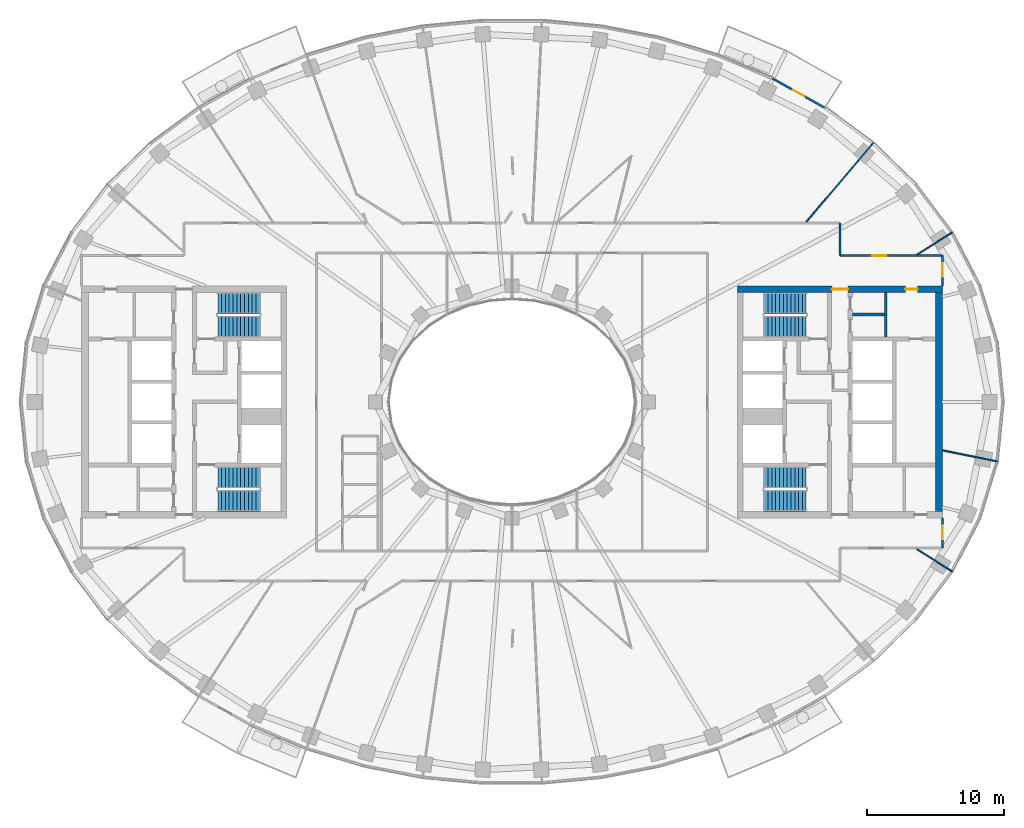
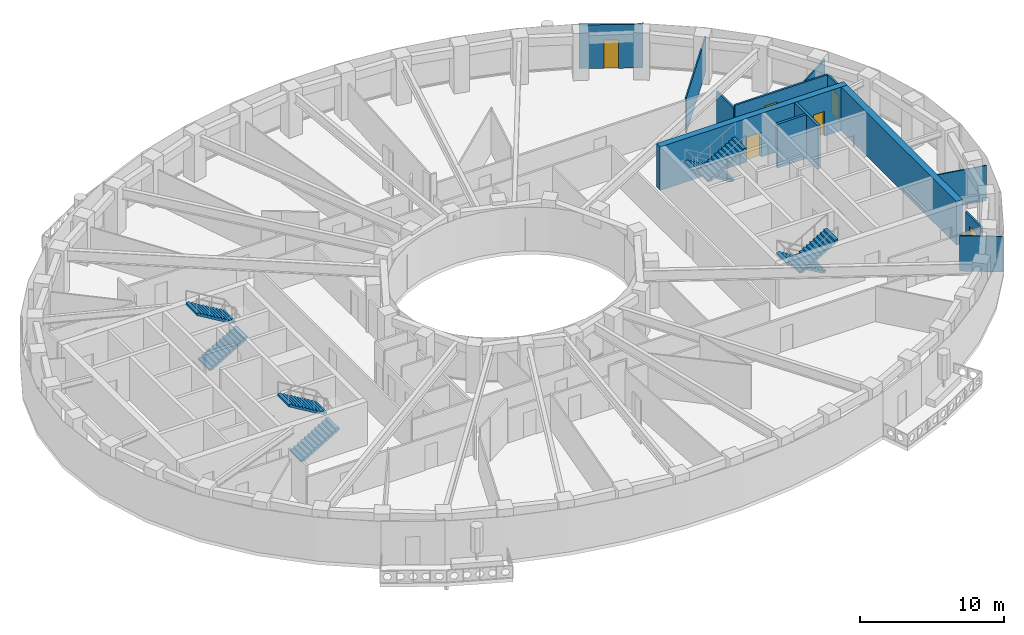
# One storey, part 7 of 15: 13 walls, 8 stair flights, 6 doors, 6 openings, 4 elements without a shape of their own.
"""IFC4 building model written with IfcOpenShell, lengths in metres."""

from ifc_helpers import new_model, si_unit, direction, frame, frame_2d, origin, place, context, subcontext, project, spatial, polyline, rectangle, outline, extrude, material, layer, layer_set, type_object, element, fill, aggregate, save


model = new_model("IFC4")

# Units and contexts
model_context = context("Model", 3, precision=1e-05, world=origin(), true_north=direction((0.0, 1.0)))
body_context = subcontext(model_context, "Body", "Model", "MODEL_VIEW")
ifc_project = project(units=[si_unit("LENGTHUNIT", "METRE"), si_unit("AREAUNIT", "SQUARE_METRE"), si_unit("VOLUMEUNIT", "CUBIC_METRE"), si_unit("PLANEANGLEUNIT", "RADIAN"), si_unit("MASSUNIT", "GRAM", prefix="KILO")], contexts=[model_context])

# Site, building, storey
site_placement = place(None, origin())
site = spatial("IfcSite", under=ifc_project, at=site_placement, CompositionType="ELEMENT")
building_placement = place(site_placement, origin())
building = spatial("IfcBuilding", under=site, at=building_placement, Name="Noorbagh Ring Tower", CompositionType="ELEMENT")
storey_placement = place(building_placement, frame((0.0, 0.0, 241.5)))
storey = spatial("IfcBuildingStorey", under=building, at=storey_placement, Name="L50", CompositionType="ELEMENT", Elevation=241.5)

# Walls
ifc_material_1 = material(Name="Gypsum board on steel studs", Category="steel")
ifc_layer_1 = layer(ifc_material_1, 0.199951171875)
ifc_layer_set_1 = layer_set([ifc_layer_1], Name="Gypsum board on steel studs")
wall_type_1 = type_object("IfcWallType", Name="CORE-PARTITION-200", PredefinedType="PARTITIONING", material=ifc_layer_set_1)
wall_1_placement = place(storey_placement, frame((27.35009765625, 4.75, 0.0), z_axis=(0.0, 0.0, 1.0), x_axis=(0.0, 1.0, 0.0)))
element("IfcWall", 1, at=wall_1_placement, inside=storey, type_object=wall_type_1, Name="Core partition E", PredefinedType="PARTITIONING", context=body_context, shape_type="SweptSolid", body=[
    extrude(rectangle(XDim=3.25, YDim=0.199951171875, at=frame_2d((1.625, 0.0))), origin(), (0.0, 0.0, 1.0), 3.699951171875),
])
wall_2_placement = place(storey_placement, frame((24.89990234375, 6.39990234375, 0.0), z_axis=(0.0, 0.0, 1.0), x_axis=(1.0, 0.0, 0.0)))
element("IfcWall", 2, at=wall_2_placement, inside=storey, type_object=wall_type_1, Name="Core partition E", PredefinedType="PARTITIONING", context=body_context, shape_type="SweptSolid", body=[
    extrude(rectangle(XDim=2.35009765625, YDim=0.199951171875, at=frame_2d((1.175048828125, 0.0))), origin(), (0.0, 0.0, 1.0), 3.699951171875),
])

# Wall, openings, doors
ifc_material_2 = material(Name="Concrete C60/75", Category="concrete")
ifc_layer_2 = layer(ifc_material_2, 0.5)
ifc_layer_set_2 = layer_set([ifc_layer_2], Name="Concrete C60/75")
wall_type_2 = type_object("IfcWallType", Name="CORE-WALL-500-C60-75-EI240", PredefinedType="SHEAR", material=ifc_layer_set_2)
wall_3_placement = place(storey_placement, frame((16.5, 8.25, 0.0), z_axis=(0.0, 0.0, 1.0), x_axis=(1.0, 0.0, 0.0)))
wall_3 = element("IfcWall", 3, at=wall_3_placement, inside=storey, type_object=wall_type_2, Name="Core wall E", PredefinedType="SHEAR", context=body_context, shape_type="SweptSolid", body=[
    extrude(rectangle(XDim=15.0, YDim=0.5, at=frame_2d((7.5, 0.0))), origin(), (0.0, 0.0, 1.0), 3.699951171875),
])
opening_1_placement = place(wall_3_placement, frame((6.89990234375, 0.0, 0.0)))
opening_1 = element("IfcOpeningElement", 4, at=opening_1_placement, cuts=wall_3, Name="Opening L50-CE11", PredefinedType="OPENING", context=body_context, shape_type="SweptSolid", body=[
    extrude(rectangle(XDim=1.199951171875, YDim=2.10009765625, at=frame_2d((0.60009765625, 1.050048828125))), frame((0.0, 0.260009765625, 0.0), z_axis=(0.0, -1.0, 0.0), x_axis=(1.0, 0.0, 0.0)), (0.0, 0.0, 1.0), 0.52001953125),
])
opening_2_placement = place(wall_3_placement, frame((12.27490234375, 0.0, 0.0)))
opening_2 = element("IfcOpeningElement", 5, at=opening_2_placement, cuts=wall_3, Name="Opening L50-CE15", PredefinedType="OPENING", context=body_context, shape_type="SweptSolid", body=[
    extrude(rectangle(XDim=0.89990234375, YDim=2.10009765625, at=frame_2d((0.449951171875, 1.050048828125))), frame((0.0, 0.260009765625, 0.0), z_axis=(0.0, -1.0, 0.0), x_axis=(1.0, 0.0, 0.0)), (0.0, 0.0, 1.0), 0.52001953125),
])
ifc_material_3 = material(Name="Steel door leaf", Category="steel")
door_type_1 = type_object("IfcDoorType", Name="CORE-DOOR-DROOM", OperationType="SINGLE_SWING_LEFT", PredefinedType="DOOR", material=ifc_material_3)
door_1_placement = place(opening_2_placement, origin())
door_1 = element("IfcDoor", 6, at=door_1_placement, inside=storey, type_object=door_type_1, Name="Core room door L50-CE15", OperationType="SINGLE_SWING_LEFT", OverallHeight=2.10009765625, OverallWidth=0.89990234375, PredefinedType="DOOR", context=body_context, shape_type="SweptSolid", body=[
    extrude(rectangle(XDim=0.89990234375, YDim=2.10009765625, at=frame_2d((0.449951171875, 1.050048828125))), frame((0.0, 0.02490234375, 0.0), z_axis=(0.0, -1.0, 0.0), x_axis=(1.0, 0.0, 0.0)), (0.0, 0.0, 1.0), 0.050048828125),
])
fill(opening_2, door_1)
ifc_material_4 = material(Name="Steel door leaf", Category="steel")
door_type_2 = type_object("IfcDoorType", Name="CORE-DOOR-PORT", OperationType="DOUBLE_DOOR_DOUBLE_SWING", PredefinedType="DOOR", material=ifc_material_4)
door_2_placement = place(opening_1_placement, origin())
door_2 = element("IfcDoor", 7, at=door_2_placement, inside=storey, type_object=door_type_2, Name="Core entrance door L50-CE11", OperationType="DOUBLE_DOOR_DOUBLE_SWING", OverallHeight=2.10009765625, OverallWidth=1.199951171875, PredefinedType="DOOR", context=body_context, shape_type="SweptSolid", body=[
    extrude(rectangle(XDim=1.199951171875, YDim=2.10009765625, at=frame_2d((0.60009765625, 1.050048828125))), frame((0.0, 0.02490234375, 0.0), z_axis=(0.0, -1.0, 0.0), x_axis=(1.0, 0.0, 0.0)), (0.0, 0.0, 1.0), 0.050048828125),
])
fill(opening_1, door_2)

# Walls
wall_4_placement = place(storey_placement, frame((31.25, -8.0, 0.0), z_axis=(0.0, 0.0, 1.0), x_axis=(0.0, 1.0, 0.0)))
element("IfcWall", 8, at=wall_4_placement, inside=storey, type_object=wall_type_2, Name="Core wall E", PredefinedType="SHEAR", context=body_context, shape_type="SweptSolid", body=[
    extrude(rectangle(XDim=16.0, YDim=0.5, at=frame_2d((8.0, 0.0))), origin(), (0.0, 0.0, 1.0), 3.699951171875),
])
ifc_material_5 = material(Name="Gypsum board on steel studs", Category="steel")
ifc_layer_3 = layer(ifc_material_5, 0.14990234375)
ifc_layer_set_3 = layer_set([ifc_layer_3], Name="Gypsum board on steel studs")
wall_type_3 = type_object("IfcWallType", Name="CORRIDOR PARTITION 150 EI 30", PredefinedType="PARTITIONING", material=ifc_layer_set_3)
wall_5_placement = place(storey_placement, frame((24.0, 10.699951171875, 0.0), z_axis=(0.0, 0.0, 1.0), x_axis=(0.0, 1.0, 0.0)))
element("IfcWall", 9, at=wall_5_placement, inside=storey, type_object=wall_type_3, Name="L50/wall/P70", PredefinedType="PARTITIONING", context=body_context, shape_type="SweptSolid", body=[
    extrude(rectangle(XDim=2.400146484375, YDim=0.14990234375, at=frame_2d((1.2001953125, 0.0))), origin(), (0.0, 0.0, 1.0), 2.75),
])

# Wall, opening, door
wall_6_placement = place(storey_placement, frame((24.0, 10.699951171875, 0.0), z_axis=(0.0, 0.0, 1.0), x_axis=(1.0, 0.0, 0.0)))
wall_6 = element("IfcWall", 10, at=wall_6_placement, inside=storey, type_object=wall_type_3, Name="L50/wall/P71", PredefinedType="PARTITIONING", context=body_context, shape_type="SweptSolid", body=[
    extrude(rectangle(XDim=7.5, YDim=0.14990234375, at=frame_2d((3.75, 0.0))), origin(), (0.0, 0.0, 1.0), 3.0),
])
opening_3_placement = place(wall_6_placement, frame((2.37109375, 0.0, 0.0)))
opening_3 = element("IfcOpeningElement", 11, at=opening_3_placement, cuts=wall_6, Name="Opening D1", PredefinedType="OPENING", context=body_context, shape_type="SweptSolid", body=[
    extrude(rectangle(XDim=1.0, YDim=2.10009765625, at=frame_2d((0.5, 1.050048828125))), frame((0.0, 0.0849609375, 0.0), z_axis=(0.0, -1.0, 0.0), x_axis=(1.0, 0.0, 0.0)), (0.0, 0.0, 1.0), 0.169921875),
])
ifc_material_6 = material(Name="Timber, painted", Category="wood")
door_type_3 = type_object("IfcDoorType", Name="DOOR 1000 X 2100 FD30", OperationType="SINGLE_SWING_LEFT", PredefinedType="DOOR", material=ifc_material_6)
door_3_placement = place(opening_3_placement, origin())
door_3 = element("IfcDoor", 12, at=door_3_placement, inside=storey, type_object=door_type_3, Name="L50-D21", OperationType="SINGLE_SWING_LEFT", OverallHeight=2.10009765625, OverallWidth=1.0, PredefinedType="DOOR", context=body_context, shape_type="SweptSolid", body=[
    extrude(rectangle(XDim=1.0, YDim=2.10009765625, at=frame_2d((0.5, 1.050048828125))), frame((0.0, 0.02490234375, 0.0), z_axis=(0.0, -1.0, 0.0), x_axis=(1.0, 0.0, 0.0)), (0.0, 0.0, 1.0), 0.050048828125),
])
fill(opening_3, door_3)

wall_7_placement = place(storey_placement, frame((31.5, -10.699951171875, 0.0), z_axis=(0.0, 0.0, 1.0), x_axis=(0.0, 1.0, 0.0)))
wall_7 = element("IfcWall", 13, at=wall_7_placement, inside=storey, type_object=wall_type_3, Name="L50/wall/P74", PredefinedType="PARTITIONING", context=body_context, shape_type="SweptSolid", body=[
    extrude(rectangle(XDim=2.199951171875, YDim=0.14990234375, at=frame_2d((1.10009765625, 0.0))), origin(), (0.0, 0.0, 1.0), 3.0),
])
opening_4_placement = place(wall_7_placement, frame((0.64990234375, 0.0, 0.0)))
opening_4 = element("IfcOpeningElement", 14, at=opening_4_placement, cuts=wall_7, Name="Opening D1", PredefinedType="OPENING", context=body_context, shape_type="SweptSolid", body=[
    extrude(rectangle(XDim=1.0, YDim=2.10009765625, at=frame_2d((0.5, 1.050048828125))), frame((0.0, 0.0849609375, 0.0), z_axis=(0.0, -1.0, 0.0), x_axis=(1.0, 0.0, 0.0)), (0.0, 0.0, 1.0), 0.169921875),
])
door_4_placement = place(opening_4_placement, origin())
door_4 = element("IfcDoor", 15, at=door_4_placement, inside=storey, type_object=door_type_3, Name="L50-D22", OperationType="SINGLE_SWING_RIGHT", OverallHeight=2.10009765625, OverallWidth=1.0, PredefinedType="DOOR", context=body_context, shape_type="SweptSolid", body=[
    extrude(rectangle(XDim=1.0, YDim=2.10009765625, at=frame_2d((0.5, 1.050048828125))), frame((0.0, 0.02490234375, 0.0), z_axis=(0.0, -1.0, 0.0), x_axis=(1.0, 0.0, 0.0)), (0.0, 0.0, 1.0), 0.050048828125),
])
fill(opening_4, door_4)

wall_8_placement = place(storey_placement, frame((31.5, 8.5, 0.0), z_axis=(0.0, 0.0, 1.0), x_axis=(0.0, 1.0, 0.0)))
wall_8 = element("IfcWall", 16, at=wall_8_placement, inside=storey, type_object=wall_type_3, Name="L50/wall/P76", PredefinedType="PARTITIONING", context=body_context, shape_type="SweptSolid", body=[
    extrude(rectangle(XDim=2.199951171875, YDim=0.14990234375, at=frame_2d((1.10009765625, 0.0))), origin(), (0.0, 0.0, 1.0), 3.0),
])
opening_5_placement = place(wall_8_placement, frame((0.64990234375, 0.0, 0.0)))
opening_5 = element("IfcOpeningElement", 17, at=opening_5_placement, cuts=wall_8, Name="Opening D1", PredefinedType="OPENING", context=body_context, shape_type="SweptSolid", body=[
    extrude(rectangle(XDim=1.0, YDim=2.10009765625, at=frame_2d((0.5, 1.050048828125))), frame((0.0, 0.0849609375, 0.0), z_axis=(0.0, -1.0, 0.0), x_axis=(1.0, 0.0, 0.0)), (0.0, 0.0, 1.0), 0.169921875),
])
door_5_placement = place(opening_5_placement, origin())
door_5 = element("IfcDoor", 18, at=door_5_placement, inside=storey, type_object=door_type_3, Name="L50-D23", OperationType="SINGLE_SWING_LEFT", OverallHeight=2.10009765625, OverallWidth=1.0, PredefinedType="DOOR", context=body_context, shape_type="SweptSolid", body=[
    extrude(rectangle(XDim=1.0, YDim=2.10009765625, at=frame_2d((0.5, 1.050048828125))), frame((0.0, 0.02490234375, 0.0), z_axis=(0.0, -1.0, 0.0), x_axis=(1.0, 0.0, 0.0)), (0.0, 0.0, 1.0), 0.050048828125),
])
fill(opening_5, door_5)

ifc_material_7 = material(Name="Insulated aluminium clad panel", Category="aluminium")
ifc_layer_4 = layer(ifc_material_7, 0.14990234375)
ifc_layer_set_4 = layer_set([ifc_layer_4], Name="Insulated aluminium clad panel")
wall_type_4 = type_object("IfcWallType", Name="ENV-WALL-DOOR", PredefinedType="STANDARD", material=ifc_layer_set_4)
wall_9_placement = place(storey_placement, frame((22.913330078125, 21.508544921875, 0.0), z_axis=(0.0, 0.0, 1.0), x_axis=(-0.872046572975, 0.489422899509, 0.0)))
wall_9 = element("IfcWall", 19, at=wall_9_placement, inside=storey, type_object=wall_type_4, Name="Balcony door wall chord 07", PredefinedType="STANDARD", context=body_context, shape_type="SweptSolid", body=[
    extrude(rectangle(XDim=4.425537109375, YDim=0.14990234375, at=frame_2d((2.212890625, 0.0))), origin(), (0.0, 0.0, 1.0), 3.699951171875),
])
opening_6_placement = place(wall_9_placement, frame((1.712646484375, 0.0, 0.0)))
opening_6 = element("IfcOpeningElement", 20, at=opening_6_placement, cuts=wall_9, Name="Opening D-BL", PredefinedType="OPENING", context=body_context, shape_type="SweptSolid", body=[
    extrude(rectangle(XDim=1.0, YDim=2.39990234375, at=frame_2d((0.5, 1.199951171875))), frame((0.0, 0.0849609375, 0.0), z_axis=(0.0, -1.0, 0.0), x_axis=(1.0, 0.0, 0.0)), (0.0, 0.0, 1.0), 0.169921875),
])
ifc_material_8 = material(Name="Aluminium and glass", Category="aluminium")
door_type_4 = type_object("IfcDoorType", Name="ENV-DOOR-BALCONY", OperationType="SINGLE_SWING_LEFT", PredefinedType="DOOR", material=ifc_material_8)
door_6_placement = place(opening_6_placement, origin())
door_6 = element("IfcDoor", 21, at=door_6_placement, inside=storey, type_object=door_type_4, Name="Balcony door chord 07", OperationType="SINGLE_SWING_LEFT", OverallHeight=2.39990234375, OverallWidth=1.0, PredefinedType="DOOR", context=body_context, shape_type="SweptSolid", body=[
    extrude(rectangle(XDim=1.0, YDim=2.39990234375, at=frame_2d((0.5, 1.199951171875))), frame((0.0, 0.02490234375, 0.0), z_axis=(0.0, -1.0, 0.0), x_axis=(1.0, 0.0, 0.0)), (0.0, 0.0, 1.0), 0.050048828125),
])
fill(opening_6, door_6)

# Walls
ifc_material_9 = material(Name="Gypsum board on steel studs", Category="steel")
ifc_layer_5 = layer(ifc_material_9, 0.10009765625)
ifc_layer_set_5 = layer_set([ifc_layer_5], Name="Gypsum board on steel studs")
wall_type_5 = type_object("IfcWallType", Name="PARTITION 100 GYPSUM", PredefinedType="PARTITIONING", material=ifc_layer_set_5)
wall_10_placement = place(storey_placement, frame((21.5419921875, 13.175048828125, 0.0), z_axis=(0.0, 0.0, 1.0), x_axis=(0.646374865928, 0.763020008058, 0.0)))
element("IfcWall", 22, at=wall_10_placement, inside=storey, type_object=wall_type_5, Name="L50/wall/P67", PredefinedType="PARTITIONING", context=body_context, shape_type="SweptSolid", body=[
    extrude(rectangle(XDim=7.56201171875, YDim=0.10009765625, at=frame_2d((3.781005859375, 0.0))), origin(), (0.0, 0.0, 1.0), 3.0),
])
for number, where, z_axis, x_axis, name in (
    (23, (29.636962890625, -10.777099609375, 0.0), (0.0, 0.0, 1.0), (0.844810627195, -0.535065420467, 0.0), "L50/wall/P72"),
    (24, (29.636962890625, 10.777099609375, 0.0), (0.0, 0.0, 1.0), (0.844810627195, 0.535065420467, 0.0), "L50/wall/P73"),
):
    element("IfcWall", number, at=place(storey_placement, frame(where, z_axis=z_axis, x_axis=x_axis)), inside=storey, type_object=wall_type_5, Name=name, PredefinedType="PARTITIONING", context=body_context, shape_type="SweptSolid", body=[
        extrude(rectangle(XDim=3.0478515625, YDim=0.10009765625, at=frame_2d((1.52392578125, 0.0))), origin(), (0.0, 0.0, 1.0), 3.0),
    ])
wall_11_placement = place(storey_placement, frame((31.5, -3.5419921875, 0.0), z_axis=(0.0, 0.0, 1.0), x_axis=(0.980357474535, -0.197228857227, 0.0)))
element("IfcWall", 25, at=wall_11_placement, inside=storey, type_object=wall_type_5, Name="L50/wall/P75", PredefinedType="PARTITIONING", context=body_context, shape_type="SweptSolid", body=[
    extrude(rectangle(XDim=4.09228515625, YDim=0.10009765625, at=frame_2d((2.046142578125, 0.0))), origin(), (0.0, 0.0, 1.0), 3.0),
])

# Stair, stair flights
ifc_material_10 = material(Name="Concrete C40/50", Category="concrete")
stair_type = type_object("IfcStairType", Name="CORE-STAIR", PredefinedType="HALF_TURN_STAIR", material=ifc_material_10)
stair_1_placement = place(storey_placement, origin())
stair_1 = element("IfcStair", 26, at=stair_1_placement, inside=storey, type_object=stair_type, Name="L50 Exit stair ST1", PredefinedType="HALF_TURN_STAIR")
ifc_material_11 = material(Name="Concrete C40/50", Category="concrete")
stair_flight_type = type_object("IfcStairFlightType", Name="CORE-STAIR-FLIGHT", PredefinedType="STRAIGHT", material=ifc_material_11)
stair_flight_1_placement = place(storey_placement, frame((-21.530029296875, 5.52490234375, 0.0), z_axis=(0.0, 0.0, 1.0), x_axis=(1.0, 0.0, 0.0)))
stair_flight_1 = element("IfcStairFlight", 27, at=stair_flight_1_placement, type_object=stair_flight_type, Name="ST1 flight 1", NumberOfRisers=12, NumberOfTreads=11, PredefinedType="STRAIGHT", RiserHeight=0.166666667, TreadLength=0.28, context=body_context, shape_type="SweptSolid", body=[
    extrude(outline(polyline([(0.0, 0.0), (0.0, 0.166748046875), (0.280029296875, 0.166748046875), (0.280029296875, 0.333251953125), (0.56005859375, 0.333251953125), (0.56005859375, 0.5), (0.840087890625, 0.5), (0.840087890625, 0.666748046875), (1.1201171875, 0.666748046875), (1.1201171875, 0.833251953125), (1.39990234375, 0.833251953125), (1.39990234375, 1.0), (1.679931640625, 1.0), (1.679931640625, 1.166748046875), (1.9599609375, 1.166748046875), (1.9599609375, 1.333251953125), (2.239990234375, 1.333251953125), (2.239990234375, 1.5), (2.52001953125, 1.5), (2.52001953125, 1.666748046875), (2.800048828125, 1.666748046875), (2.800048828125, 1.833251953125), (3.080078125, 1.833251953125), (3.080078125, 2.0), (3.080078125, 1.658935546875), (0.29296875, 0.0), (0.0, 0.0)])), frame((0.0, 0.77490234375, 0.0), z_axis=(0.0, -1.0, 0.0), x_axis=(1.0, 0.0, 0.0)), (0.0, 0.0, 1.0), 1.550048828125),
])
stair_flight_2_placement = place(storey_placement, frame((-18.449951171875, 7.22509765625, 2.0), z_axis=(0.0, 0.0, 1.0), x_axis=(-1.0, 0.0, 0.0)))
stair_flight_2 = element("IfcStairFlight", 28, at=stair_flight_2_placement, type_object=stair_flight_type, Name="ST1 flight 2", NumberOfRisers=12, NumberOfTreads=11, PredefinedType="STRAIGHT", RiserHeight=0.166666667, TreadLength=0.28, context=body_context, shape_type="SweptSolid", body=[
    extrude(outline(polyline([(0.0, 0.0), (0.0, 0.166748046875), (0.280029296875, 0.166748046875), (0.280029296875, 0.333251953125), (0.56005859375, 0.333251953125), (0.56005859375, 0.5), (0.840087890625, 0.5), (0.840087890625, 0.666748046875), (1.1201171875, 0.666748046875), (1.1201171875, 0.833251953125), (1.39990234375, 0.833251953125), (1.39990234375, 1.0), (1.679931640625, 1.0), (1.679931640625, 1.166748046875), (1.9599609375, 1.166748046875), (1.9599609375, 1.333251953125), (2.239990234375, 1.333251953125), (2.239990234375, 1.5), (2.52001953125, 1.5), (2.52001953125, 1.666748046875), (2.800048828125, 1.666748046875), (2.800048828125, 1.833251953125), (3.080078125, 1.833251953125), (3.080078125, 2.0), (3.080078125, 1.658935546875), (0.29296875, 0.0), (0.0, 0.0)])), frame((0.0, 0.77490234375, 0.0), z_axis=(0.0, -1.0, 0.0), x_axis=(1.0, 0.0, 0.0)), (0.0, 0.0, 1.0), 1.550048828125),
])
aggregate(stair_1, [stair_flight_1, stair_flight_2])

stair_2_placement = place(storey_placement, origin())
stair_2 = element("IfcStair", 29, at=stair_2_placement, inside=storey, type_object=stair_type, Name="L50 Exit stair ST2", PredefinedType="HALF_TURN_STAIR")
stair_flight_3_placement = place(storey_placement, frame((-21.530029296875, -7.22509765625, 0.0), z_axis=(0.0, 0.0, 1.0), x_axis=(1.0, 0.0, 0.0)))
stair_flight_3 = element("IfcStairFlight", 30, at=stair_flight_3_placement, type_object=stair_flight_type, Name="ST2 flight 1", NumberOfRisers=12, NumberOfTreads=11, PredefinedType="STRAIGHT", RiserHeight=0.166666667, TreadLength=0.28, context=body_context, shape_type="SweptSolid", body=[
    extrude(outline(polyline([(0.0, 0.0), (0.0, 0.166748046875), (0.280029296875, 0.166748046875), (0.280029296875, 0.333251953125), (0.56005859375, 0.333251953125), (0.56005859375, 0.5), (0.840087890625, 0.5), (0.840087890625, 0.666748046875), (1.1201171875, 0.666748046875), (1.1201171875, 0.833251953125), (1.39990234375, 0.833251953125), (1.39990234375, 1.0), (1.679931640625, 1.0), (1.679931640625, 1.166748046875), (1.9599609375, 1.166748046875), (1.9599609375, 1.333251953125), (2.239990234375, 1.333251953125), (2.239990234375, 1.5), (2.52001953125, 1.5), (2.52001953125, 1.666748046875), (2.800048828125, 1.666748046875), (2.800048828125, 1.833251953125), (3.080078125, 1.833251953125), (3.080078125, 2.0), (3.080078125, 1.658935546875), (0.29296875, 0.0), (0.0, 0.0)])), frame((0.0, 0.77490234375, 0.0), z_axis=(0.0, -1.0, 0.0), x_axis=(1.0, 0.0, 0.0)), (0.0, 0.0, 1.0), 1.550048828125),
])
stair_flight_4_placement = place(storey_placement, frame((-18.449951171875, -5.52490234375, 2.0), z_axis=(0.0, 0.0, 1.0), x_axis=(-1.0, 0.0, 0.0)))
stair_flight_4 = element("IfcStairFlight", 31, at=stair_flight_4_placement, type_object=stair_flight_type, Name="ST2 flight 2", NumberOfRisers=12, NumberOfTreads=11, PredefinedType="STRAIGHT", RiserHeight=0.166666667, TreadLength=0.28, context=body_context, shape_type="SweptSolid", body=[
    extrude(outline(polyline([(0.0, 0.0), (0.0, 0.166748046875), (0.280029296875, 0.166748046875), (0.280029296875, 0.333251953125), (0.56005859375, 0.333251953125), (0.56005859375, 0.5), (0.840087890625, 0.5), (0.840087890625, 0.666748046875), (1.1201171875, 0.666748046875), (1.1201171875, 0.833251953125), (1.39990234375, 0.833251953125), (1.39990234375, 1.0), (1.679931640625, 1.0), (1.679931640625, 1.166748046875), (1.9599609375, 1.166748046875), (1.9599609375, 1.333251953125), (2.239990234375, 1.333251953125), (2.239990234375, 1.5), (2.52001953125, 1.5), (2.52001953125, 1.666748046875), (2.800048828125, 1.666748046875), (2.800048828125, 1.833251953125), (3.080078125, 1.833251953125), (3.080078125, 2.0), (3.080078125, 1.658935546875), (0.29296875, 0.0), (0.0, 0.0)])), frame((0.0, 0.77490234375, 0.0), z_axis=(0.0, -1.0, 0.0), x_axis=(1.0, 0.0, 0.0)), (0.0, 0.0, 1.0), 1.550048828125),
])
aggregate(stair_2, [stair_flight_3, stair_flight_4])

stair_3_placement = place(storey_placement, origin())
stair_3 = element("IfcStair", 32, at=stair_3_placement, inside=storey, type_object=stair_type, Name="L50 Exit stair ST3", PredefinedType="HALF_TURN_STAIR")
stair_flight_5_placement = place(storey_placement, frame((21.530029296875, 7.22509765625, 0.0), z_axis=(0.0, 0.0, 1.0), x_axis=(-1.0, 0.0, 0.0)))
stair_flight_5 = element("IfcStairFlight", 33, at=stair_flight_5_placement, type_object=stair_flight_type, Name="ST3 flight 1", NumberOfRisers=12, NumberOfTreads=11, PredefinedType="STRAIGHT", RiserHeight=0.166666667, TreadLength=0.28, context=body_context, shape_type="SweptSolid", body=[
    extrude(outline(polyline([(0.0, 0.0), (0.0, 0.166748046875), (0.280029296875, 0.166748046875), (0.280029296875, 0.333251953125), (0.56005859375, 0.333251953125), (0.56005859375, 0.5), (0.840087890625, 0.5), (0.840087890625, 0.666748046875), (1.1201171875, 0.666748046875), (1.1201171875, 0.833251953125), (1.39990234375, 0.833251953125), (1.39990234375, 1.0), (1.679931640625, 1.0), (1.679931640625, 1.166748046875), (1.9599609375, 1.166748046875), (1.9599609375, 1.333251953125), (2.239990234375, 1.333251953125), (2.239990234375, 1.5), (2.52001953125, 1.5), (2.52001953125, 1.666748046875), (2.800048828125, 1.666748046875), (2.800048828125, 1.833251953125), (3.080078125, 1.833251953125), (3.080078125, 2.0), (3.080078125, 1.658935546875), (0.29296875, 0.0), (0.0, 0.0)])), frame((0.0, 0.77490234375, 0.0), z_axis=(0.0, -1.0, 0.0), x_axis=(1.0, 0.0, 0.0)), (0.0, 0.0, 1.0), 1.550048828125),
])
stair_flight_6_placement = place(storey_placement, frame((18.449951171875, 5.52490234375, 2.0), z_axis=(0.0, 0.0, 1.0), x_axis=(1.0, 0.0, 0.0)))
stair_flight_6 = element("IfcStairFlight", 34, at=stair_flight_6_placement, type_object=stair_flight_type, Name="ST3 flight 2", NumberOfRisers=12, NumberOfTreads=11, PredefinedType="STRAIGHT", RiserHeight=0.166666667, TreadLength=0.28, context=body_context, shape_type="SweptSolid", body=[
    extrude(outline(polyline([(0.0, 0.0), (0.0, 0.166748046875), (0.280029296875, 0.166748046875), (0.280029296875, 0.333251953125), (0.56005859375, 0.333251953125), (0.56005859375, 0.5), (0.840087890625, 0.5), (0.840087890625, 0.666748046875), (1.1201171875, 0.666748046875), (1.1201171875, 0.833251953125), (1.39990234375, 0.833251953125), (1.39990234375, 1.0), (1.679931640625, 1.0), (1.679931640625, 1.166748046875), (1.9599609375, 1.166748046875), (1.9599609375, 1.333251953125), (2.239990234375, 1.333251953125), (2.239990234375, 1.5), (2.52001953125, 1.5), (2.52001953125, 1.666748046875), (2.800048828125, 1.666748046875), (2.800048828125, 1.833251953125), (3.080078125, 1.833251953125), (3.080078125, 2.0), (3.080078125, 1.658935546875), (0.29296875, 0.0), (0.0, 0.0)])), frame((0.0, 0.77490234375, 0.0), z_axis=(0.0, -1.0, 0.0), x_axis=(1.0, 0.0, 0.0)), (0.0, 0.0, 1.0), 1.550048828125),
])
aggregate(stair_3, [stair_flight_5, stair_flight_6])

stair_4_placement = place(storey_placement, origin())
stair_4 = element("IfcStair", 35, at=stair_4_placement, inside=storey, type_object=stair_type, Name="L50 Exit stair ST4", PredefinedType="HALF_TURN_STAIR")
stair_flight_7_placement = place(storey_placement, frame((21.530029296875, -5.52490234375, 0.0), z_axis=(0.0, 0.0, 1.0), x_axis=(-1.0, 0.0, 0.0)))
stair_flight_7 = element("IfcStairFlight", 36, at=stair_flight_7_placement, type_object=stair_flight_type, Name="ST4 flight 1", NumberOfRisers=12, NumberOfTreads=11, PredefinedType="STRAIGHT", RiserHeight=0.166666667, TreadLength=0.28, context=body_context, shape_type="SweptSolid", body=[
    extrude(outline(polyline([(0.0, 0.0), (0.0, 0.166748046875), (0.280029296875, 0.166748046875), (0.280029296875, 0.333251953125), (0.56005859375, 0.333251953125), (0.56005859375, 0.5), (0.840087890625, 0.5), (0.840087890625, 0.666748046875), (1.1201171875, 0.666748046875), (1.1201171875, 0.833251953125), (1.39990234375, 0.833251953125), (1.39990234375, 1.0), (1.679931640625, 1.0), (1.679931640625, 1.166748046875), (1.9599609375, 1.166748046875), (1.9599609375, 1.333251953125), (2.239990234375, 1.333251953125), (2.239990234375, 1.5), (2.52001953125, 1.5), (2.52001953125, 1.666748046875), (2.800048828125, 1.666748046875), (2.800048828125, 1.833251953125), (3.080078125, 1.833251953125), (3.080078125, 2.0), (3.080078125, 1.658935546875), (0.29296875, 0.0), (0.0, 0.0)])), frame((0.0, 0.77490234375, 0.0), z_axis=(0.0, -1.0, 0.0), x_axis=(1.0, 0.0, 0.0)), (0.0, 0.0, 1.0), 1.550048828125),
])
stair_flight_8_placement = place(storey_placement, frame((18.449951171875, -7.22509765625, 2.0), z_axis=(0.0, 0.0, 1.0), x_axis=(1.0, 0.0, 0.0)))
stair_flight_8 = element("IfcStairFlight", 37, at=stair_flight_8_placement, type_object=stair_flight_type, Name="ST4 flight 2", NumberOfRisers=12, NumberOfTreads=11, PredefinedType="STRAIGHT", RiserHeight=0.166666667, TreadLength=0.28, context=body_context, shape_type="SweptSolid", body=[
    extrude(outline(polyline([(0.0, 0.0), (0.0, 0.166748046875), (0.280029296875, 0.166748046875), (0.280029296875, 0.333251953125), (0.56005859375, 0.333251953125), (0.56005859375, 0.5), (0.840087890625, 0.5), (0.840087890625, 0.666748046875), (1.1201171875, 0.666748046875), (1.1201171875, 0.833251953125), (1.39990234375, 0.833251953125), (1.39990234375, 1.0), (1.679931640625, 1.0), (1.679931640625, 1.166748046875), (1.9599609375, 1.166748046875), (1.9599609375, 1.333251953125), (2.239990234375, 1.333251953125), (2.239990234375, 1.5), (2.52001953125, 1.5), (2.52001953125, 1.666748046875), (2.800048828125, 1.666748046875), (2.800048828125, 1.833251953125), (3.080078125, 1.833251953125), (3.080078125, 2.0), (3.080078125, 1.658935546875), (0.29296875, 0.0), (0.0, 0.0)])), frame((0.0, 0.77490234375, 0.0), z_axis=(0.0, -1.0, 0.0), x_axis=(1.0, 0.0, 0.0)), (0.0, 0.0, 1.0), 1.550048828125),
])
aggregate(stair_4, [stair_flight_7, stair_flight_8])

save(model, "model.ifc")
